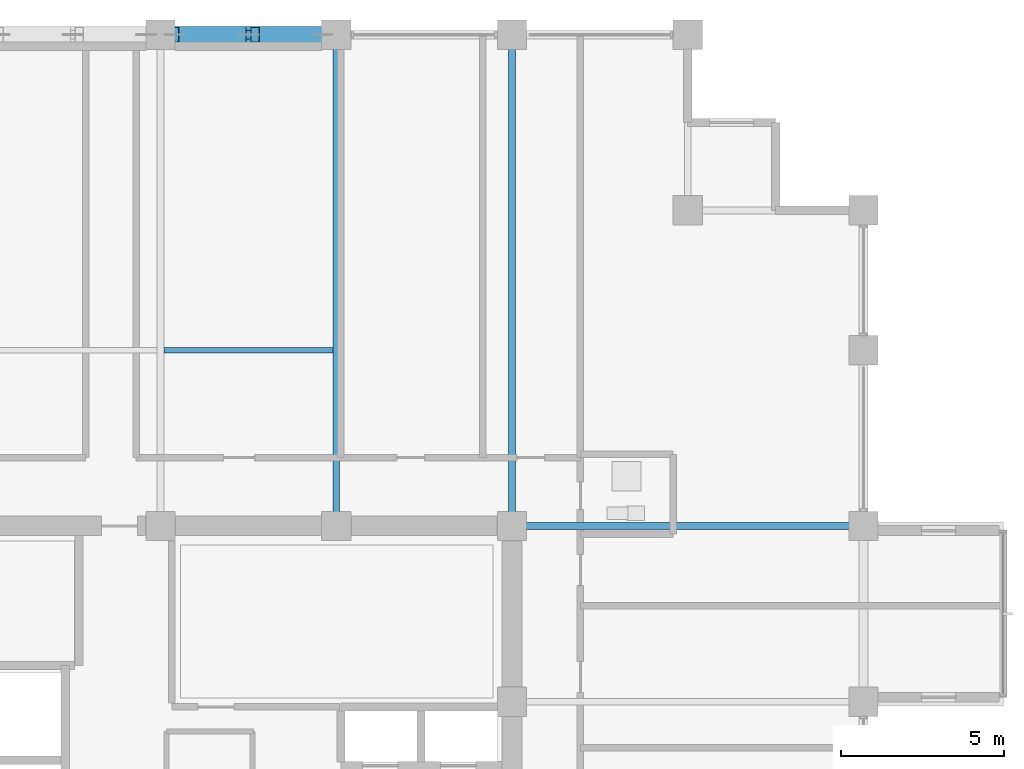
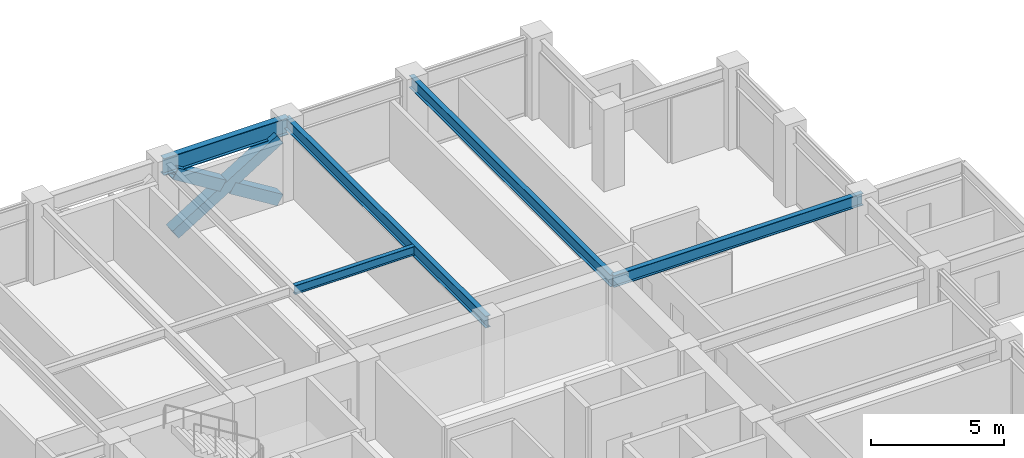
# One storey, part 18 of 28: 5 beams, 3 members.
"""IFC4 building model written with IfcOpenShell, lengths in metres."""

from ifc_helpers import new_model, si_unit, direction, frame, origin, origin_2d, place, context, subcontext, project, spatial, hollow_rectangle, i_section, extrude, material, material_profile, profile_set, type_object, element, save


model = new_model("IFC4")

# Units and contexts
model_context = context("Model", 3, precision=1e-05, world=origin(), true_north=direction((0.0, 1.0)))
body_context = subcontext(model_context, "Body", "Model", "MODEL_VIEW")
ifc_project = project(units=[si_unit("LENGTHUNIT", "METRE"), si_unit("AREAUNIT", "SQUARE_METRE"), si_unit("VOLUMEUNIT", "CUBIC_METRE"), si_unit("PLANEANGLEUNIT", "RADIAN"), si_unit("MASSUNIT", "GRAM", prefix="KILO")], contexts=[model_context])

# Site, building, storey
site_placement = place(None, origin())
site = spatial("IfcSite", under=ifc_project, at=site_placement, CompositionType="ELEMENT")
building_placement = place(site_placement, origin())
building = spatial("IfcBuilding", under=site, at=building_placement, Name="Surkhivell Harbour Commons", CompositionType="ELEMENT")
storey_placement = place(building_placement, frame((0.0, 0.0, 178.5)))
storey = spatial("IfcBuildingStorey", under=building, at=storey_placement, Name="L46", CompositionType="ELEMENT", Elevation=178.5)

# Beams
ifc_material_1 = material(Name="Steel S355", Category="steel")
ifc_material_profile_1 = material_profile(ifc_material_1, i_section(OverallWidth=0.2119140625, OverallDepth=0.5439453125, WebThickness=0.0126953125, FlangeThickness=0.021240234375, at=origin_2d()), Name="UB533x210x122")
ifc_profile_set_1 = profile_set([ifc_material_profile_1], Name="Steel S355")
beam_type_1 = type_object("IfcBeamType", Name="BM-GRD-533A", PredefinedType="BEAM", material=ifc_profile_set_1)
beam_1_placement = place(storey_placement, frame((10.800048828125, 10.800048828125, 3.298095703125), z_axis=(1.0, 0.0, 0.0), x_axis=(0.0, 1.0, 0.0)))
element("IfcBeam", 1, at=beam_1_placement, inside=storey, type_object=beam_type_1, Name="L46 Cantilever Back-Span Girder (10.8,10.8)", PredefinedType="BEAM", context=body_context, shape_type="SweptSolid", body=[
    extrude(i_section(OverallWidth=0.2119140625, OverallDepth=0.5439453125, WebThickness=0.0126953125, FlangeThickness=0.021240234375, at=origin_2d()), origin(), (0.0, 0.0, 1.0), 10.800048828125),
])
for number, where, z_axis, x_axis, name in (
    (2, (5.39990234375, 10.800048828125, 3.298095703125), (0.0, 1.0, 0.0), (-1.0, 0.0, 0.0), "L46 Floor Girder (5.4,10.8)"),
    (3, (10.800048828125, 10.800048828125, 3.298095703125), (0.0, 1.0, 0.0), (-1.0, 0.0, 0.0), "L46 Floor Girder (10.8,10.8)"),
):
    element("IfcBeam", number, at=place(storey_placement, frame(where, z_axis=z_axis, x_axis=x_axis)), inside=storey, type_object=beam_type_1, Name=name, PredefinedType="BEAM", context=body_context, shape_type="SweptSolid", body=[
        extrude(i_section(OverallWidth=0.2119140625, OverallDepth=0.5439453125, WebThickness=0.0126953125, FlangeThickness=0.021240234375, at=origin_2d()), origin(), (0.0, 0.0, 1.0), 15.099853515625),
    ])
ifc_material_profile_2 = material_profile(ifc_material_1, i_section(OverallWidth=0.178955078125, OverallDepth=0.408935546875, WebThickness=0.0087890625, FlangeThickness=0.014404296875, at=origin_2d()), Name="UB406x178x67")
ifc_profile_set_2 = profile_set([ifc_material_profile_2], Name="Steel S355")
beam_type_2 = type_object("IfcBeamType", Name="BM-JST-406", PredefinedType="JOIST", material=ifc_profile_set_2)
beam_2_placement = place(storey_placement, frame((0.10400390625, 16.199951171875, 3.365478515625), z_axis=(1.0, 0.0, 0.0), x_axis=(0.0, 1.0, 0.0)))
element("IfcBeam", 4, at=beam_2_placement, inside=storey, type_object=beam_type_2, Name="L46 North Composite Joist (0.0)", PredefinedType="JOIST", context=body_context, shape_type="SweptSolid", body=[
    extrude(i_section(OverallWidth=0.178955078125, OverallDepth=0.408935546875, WebThickness=0.0087890625, FlangeThickness=0.014404296875, at=origin_2d()), origin(), (0.0, 0.0, 1.0), 5.19189453125),
])
ifc_material_profile_3 = material_profile(ifc_material_1, i_section(OverallWidth=0.26806640625, OverallDepth=0.77001953125, WebThickness=0.015625, FlangeThickness=0.025390625, at=origin_2d()), Name="UB762x267x197")
ifc_profile_set_3 = profile_set([ifc_material_profile_3], Name="Steel S355")
beam_type_3 = type_object("IfcBeamType", Name="BM-SPN-762", PredefinedType="SPANDREL", material=ifc_profile_set_3)
beam_3_placement = place(storey_placement, frame((0.0, 25.89990234375, 3.18505859375), z_axis=(1.0, 0.0, 0.0), x_axis=(0.0, 1.0, 0.0)))
element("IfcBeam", 5, at=beam_3_placement, inside=storey, type_object=beam_type_3, Name="L46 Tube Spandrel (-0.0,25.9)", PredefinedType="SPANDREL", context=body_context, shape_type="SweptSolid", body=[
    extrude(i_section(OverallWidth=0.26806640625, OverallDepth=0.77001953125, WebThickness=0.015625, FlangeThickness=0.025390625, at=origin_2d()), origin(), (0.0, 0.0, 1.0), 5.39990234375),
])

# Members
ifc_material_2 = material(Name="Steel S460", Category="steel")
ifc_material_profile_4 = material_profile(ifc_material_2, hollow_rectangle(XDim=0.5, YDim=0.5, WallThickness=0.02490234375, at=origin_2d()), Name="SHS500x500x25")
ifc_profile_set_4 = profile_set([ifc_material_profile_4], Name="Steel S460")
member_type = type_object("IfcMemberType", Name="MEM-BRC-SHS500", PredefinedType="BRACE", material=ifc_profile_set_4)
member_placement = place(storey_placement, frame((0.43505859375, 25.89990234375, 0.008056640625), z_axis=(0.850971032488, 0.0, 0.525212625387), x_axis=(0.0, 1.0, 0.0)))
element("IfcMember", 6, at=member_placement, inside=storey, type_object=member_type, Name="L46 Perimeter Mega-Brace MB- 04", PredefinedType="BRACE", context=body_context, shape_type="SweptSolid", body=[
    extrude(hollow_rectangle(XDim=0.5, YDim=0.5, WallThickness=0.02490234375, at=origin_2d()), origin(), (0.0, 0.0, 1.0), 5.323486328125),
])
for number, where, z_axis, x_axis, name in (
    (7, (4.965087890625, 25.89990234375, 0.008056640625), (-0.8510034189, 0.0, 0.525160147974), (0.0, -1.0, 0.0), "L46 Perimeter Mega-Brace MB- 05"),
    (8, (2.495849609375, 25.89990234375, 1.531982421875), (-0.850958361341, 0.0, 0.525233155146), (0.0, -1.0, 0.0), "L46 Perimeter Mega-Brace MB- 06"),
):
    element("IfcMember", number, at=place(storey_placement, frame(where, z_axis=z_axis, x_axis=x_axis)), inside=storey, type_object=member_type, Name=name, PredefinedType="BRACE", context=body_context, shape_type="SweptSolid", body=[
        extrude(hollow_rectangle(XDim=0.5, YDim=0.5, WallThickness=0.02490234375, at=origin_2d()), origin(), (0.0, 0.0, 1.0), 2.421630859375),
    ])

save(model, "model.ifc")
